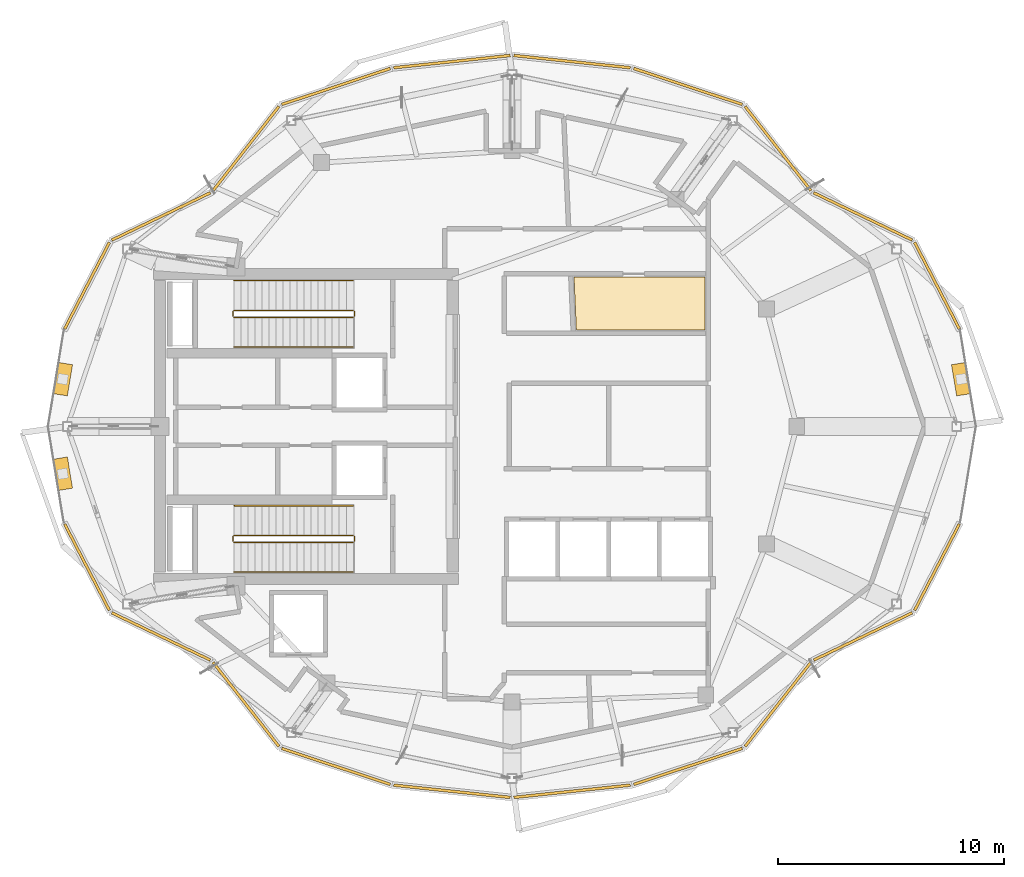
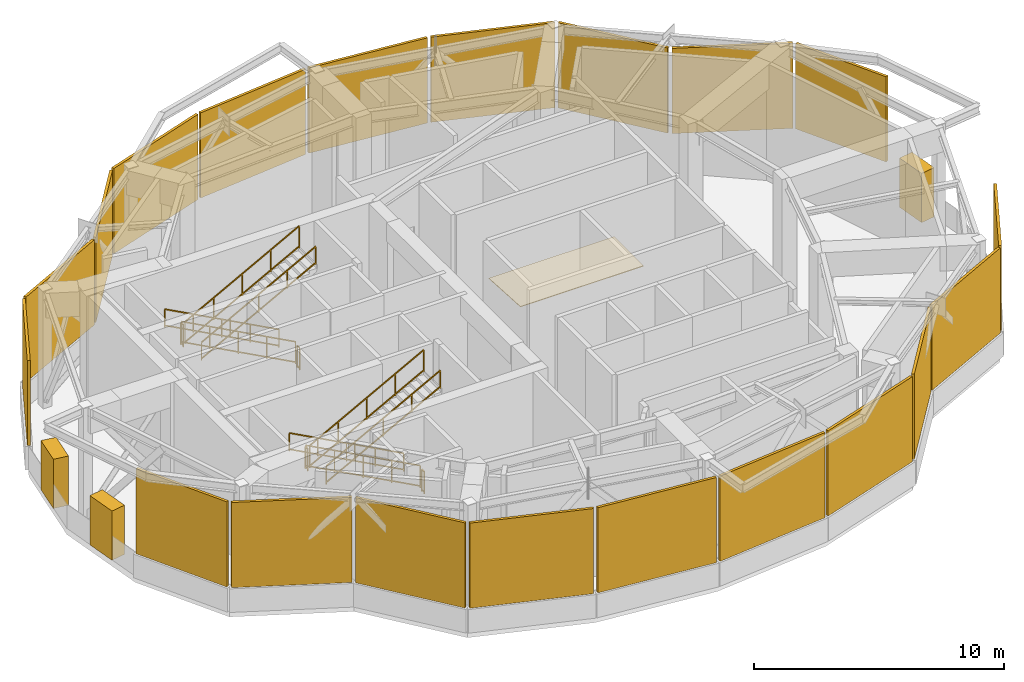
# One storey, part 9 of 9: 21 coverings, 12 railings, 3 shading devices.
"""IFC4 building model written with IfcOpenShell, lengths in metres."""

from ifc_helpers import new_model, si_unit, direction, frame, origin, origin_2d, place, context, subcontext, project, spatial, polyline, rectangle, outline, extrude, material, layer, layer_set, type_object, element, save


model = new_model("IFC4")

# Units and contexts
model_context = context("Model", 3, precision=1e-05, world=origin(), true_north=direction((0.0, 1.0)))
body_context = subcontext(model_context, "Body", "Model", "MODEL_VIEW")
ifc_project = project(units=[si_unit("LENGTHUNIT", "METRE"), si_unit("AREAUNIT", "SQUARE_METRE"), si_unit("VOLUMEUNIT", "CUBIC_METRE"), si_unit("PLANEANGLEUNIT", "RADIAN"), si_unit("MASSUNIT", "GRAM", prefix="KILO")], contexts=[model_context])

# Site, building, storey
site_placement = place(None, origin())
site = spatial("IfcSite", under=ifc_project, at=site_placement, CompositionType="ELEMENT")
building_placement = place(site_placement, origin())
building = spatial("IfcBuilding", under=site, at=building_placement, Name="Kolvaren Gate Tower and Convention Centre", CompositionType="ELEMENT")
storey_placement = place(building_placement, frame((0.0, 0.0, 275.60009765625)))
storey = spatial("IfcBuildingStorey", under=building, at=storey_placement, Name="L75", CompositionType="ELEMENT", Elevation=275.60009765625)

# Coverings
ifc_material_1 = material(Name="Honed Sabana Limestone Terrazzo Flooring 30 mm", Category="masonry")
ifc_layer_1 = layer(ifc_material_1, 0.030029296875)
ifc_layer_set_1 = layer_set([ifc_layer_1], Name="Honed Sabana Limestone Terrazzo Flooring 30 mm")
covering_type_1 = type_object("IfcCoveringType", Name="ARCH-COV-FLR-30", PredefinedType="FLOORING", material=ifc_layer_set_1)
covering_1_placement = place(storey_placement, origin())
element("IfcCovering", 1, at=covering_1_placement, inside=storey, type_object=covering_type_1, Name="Zone Electrical Substation and Switchgear Room Interior Finish Flooring", PredefinedType="FLOORING", context=body_context, shape_type="SweptSolid", body=[
    extrude(outline(polyline([(32.867919921875, 33.610107421875), (38.659912109375, 33.610107421875), (38.659912109375, 31.260009765625), (32.972900390625, 31.260009765625), (32.867919921875, 33.610107421875)])), origin(), (0.0, 0.0, 1.0), 0.02978515625),
])
ifc_material_2 = material(Name="Honed Warm Andean Limestone Rainscreen Cladding 120 mm", Category="masonry")
ifc_layer_2 = layer(ifc_material_2, 0.1201171875)
ifc_layer_set_2 = layer_set([ifc_layer_2], Name="Honed Warm Andean Limestone Rainscreen Cladding 120 mm")
covering_type_2 = type_object("IfcCoveringType", Name="ARCH-COV-LOUVRE", PredefinedType="CLADDING", material=ifc_layer_set_2)
covering_2_placement = place(storey_placement, frame((48.930908203125, 33.231689453125, 1.1396484375), z_axis=(0.0, 0.0, 1.0), x_axis=(0.459793759781, -0.888025730746, 0.0)))
element("IfcCovering", 2, at=covering_2_placement, inside=storey, type_object=covering_type_2, Name="Plant Floor L75 Honed Limestone Rainscreen Cladding LV-01", PredefinedType="CLADDING", context=body_context, shape_type="SweptSolid", body=[
    extrude(rectangle(XDim=4.30078125, YDim=0.1201171875, at=origin_2d()), origin(), (0.0, 0.0, 1.0), 4.155029296875),
])
covering_3_placement = place(storey_placement, frame((45.65478515625, 36.2939453125, 1.1396484375), z_axis=(0.0, 0.0, 1.0), x_axis=(0.901356122373, -0.433078677218, 0.0)))
element("IfcCovering", 3, at=covering_3_placement, inside=storey, type_object=covering_type_2, Name="Plant Floor L75 Honed Limestone Rainscreen Cladding LV-02", PredefinedType="CLADDING", context=body_context, shape_type="SweptSolid", body=[
    extrude(rectangle(XDim=4.834228515625, YDim=0.1201171875, at=origin_2d()), origin(), (0.0, 0.0, 1.0), 4.155029296875),
])
covering_4_placement = place(storey_placement, frame((41.897216796875, 39.2998046875, 1.1396484375), z_axis=(0.0, 0.0, 1.0), x_axis=(0.616429996253, -0.787409715281, 0.0)))
element("IfcCovering", 4, at=covering_4_placement, inside=storey, type_object=covering_type_2, Name="Plant Floor L75 Honed Limestone Rainscreen Cladding LV-03", PredefinedType="CLADDING", context=body_context, shape_type="SweptSolid", body=[
    extrude(rectangle(XDim=4.728271484375, YDim=0.1201171875, at=origin_2d()), origin(), (0.0, 0.0, 1.0), 4.155029296875),
])
covering_5_placement = place(storey_placement, frame((37.914794921875, 42.044921875, 1.1396484375), z_axis=(0.0, 0.0, 1.0), x_axis=(0.949243375549, -0.314542547163, 0.0)))
element("IfcCovering", 5, at=covering_5_placement, inside=storey, type_object=covering_type_2, Name="Plant Floor L75 Honed Limestone Rainscreen Cladding LV-04", PredefinedType="CLADDING", context=body_context, shape_type="SweptSolid", body=[
    extrude(rectangle(XDim=5.056396484375, YDim=0.1201171875, at=origin_2d()), origin(), (0.0, 0.0, 1.0), 4.155029296875),
])
for number, where, z_axis, x_axis, name in (
    (6, (32.781982421875, 43.145263671875, 1.1396484375), (0.0, 0.0, 1.0), (0.994498701491, -0.104748903254, 0.0), "Plant Floor L75 Honed Limestone Rainscreen Cladding LV-05"),
    (7, (27.468017578125, 43.145263671875, 1.1396484375), (0.0, 0.0, 1.0), (0.994498701491, 0.104748903254, 0.0), "Plant Floor L75 Honed Limestone Rainscreen Cladding LV-06"),
):
    element("IfcCovering", number, at=place(storey_placement, frame(where, z_axis=z_axis, x_axis=x_axis)), inside=storey, type_object=covering_type_2, Name=name, PredefinedType="CLADDING", context=body_context, shape_type="SweptSolid", body=[
        extrude(rectangle(XDim=5.183349609375, YDim=0.1201171875, at=origin_2d()), origin(), (0.0, 0.0, 1.0), 4.155029296875),
    ])
covering_6_placement = place(storey_placement, frame((22.335205078125, 42.044921875, 1.1396484375), z_axis=(0.0, 0.0, 1.0), x_axis=(0.949243375549, 0.314542547163, 0.0)))
element("IfcCovering", 8, at=covering_6_placement, inside=storey, type_object=covering_type_2, Name="Plant Floor L75 Honed Limestone Rainscreen Cladding LV-07", PredefinedType="CLADDING", context=body_context, shape_type="SweptSolid", body=[
    extrude(rectangle(XDim=5.056396484375, YDim=0.1201171875, at=origin_2d()), origin(), (0.0, 0.0, 1.0), 4.155029296875),
])
covering_7_placement = place(storey_placement, frame((18.352783203125, 39.2998046875, 1.1396484375), z_axis=(0.0, 0.0, 1.0), x_axis=(0.616429996253, 0.787409715281, 0.0)))
element("IfcCovering", 9, at=covering_7_placement, inside=storey, type_object=covering_type_2, Name="Plant Floor L75 Honed Limestone Rainscreen Cladding LV-08", PredefinedType="CLADDING", context=body_context, shape_type="SweptSolid", body=[
    extrude(rectangle(XDim=4.728271484375, YDim=0.1201171875, at=origin_2d()), origin(), (0.0, 0.0, 1.0), 4.155029296875),
])
covering_8_placement = place(storey_placement, frame((14.59521484375, 36.2939453125, 1.1396484375), z_axis=(0.0, 0.0, 1.0), x_axis=(0.901356122373, 0.433078677218, 0.0)))
element("IfcCovering", 10, at=covering_8_placement, inside=storey, type_object=covering_type_2, Name="Plant Floor L75 Honed Limestone Rainscreen Cladding LV-09", PredefinedType="CLADDING", context=body_context, shape_type="SweptSolid", body=[
    extrude(rectangle(XDim=4.834228515625, YDim=0.1201171875, at=origin_2d()), origin(), (0.0, 0.0, 1.0), 4.155029296875),
])
for number, where, z_axis, x_axis, name in (
    (11, (11.319091796875, 33.231689453125, 1.1396484375), (0.0, 0.0, 1.0), (0.459793759781, 0.888025730746, 0.0), "Plant Floor L75 Honed Limestone Rainscreen Cladding LV-10"),
    (12, (11.319091796875, 20.768310546875, 1.1396484375), (0.0, 0.0, 1.0), (0.459793759781, -0.888025730746, 0.0), "Plant Floor L75 Honed Limestone Rainscreen Cladding LV-13"),
):
    element("IfcCovering", number, at=place(storey_placement, frame(where, z_axis=z_axis, x_axis=x_axis)), inside=storey, type_object=covering_type_2, Name=name, PredefinedType="CLADDING", context=body_context, shape_type="SweptSolid", body=[
        extrude(rectangle(XDim=4.30078125, YDim=0.1201171875, at=origin_2d()), origin(), (0.0, 0.0, 1.0), 4.155029296875),
    ])
covering_9_placement = place(storey_placement, frame((14.59521484375, 17.7060546875, 1.1396484375), z_axis=(0.0, 0.0, 1.0), x_axis=(0.901356122373, -0.433078677218, 0.0)))
element("IfcCovering", 13, at=covering_9_placement, inside=storey, type_object=covering_type_2, Name="Plant Floor L75 Honed Limestone Rainscreen Cladding LV-14", PredefinedType="CLADDING", context=body_context, shape_type="SweptSolid", body=[
    extrude(rectangle(XDim=4.834228515625, YDim=0.1201171875, at=origin_2d()), origin(), (0.0, 0.0, 1.0), 4.155029296875),
])
covering_10_placement = place(storey_placement, frame((18.352783203125, 14.7001953125, 1.1396484375), z_axis=(0.0, 0.0, 1.0), x_axis=(0.616429996253, -0.787409715281, 0.0)))
element("IfcCovering", 14, at=covering_10_placement, inside=storey, type_object=covering_type_2, Name="Plant Floor L75 Honed Limestone Rainscreen Cladding LV-15", PredefinedType="CLADDING", context=body_context, shape_type="SweptSolid", body=[
    extrude(rectangle(XDim=4.728271484375, YDim=0.1201171875, at=origin_2d()), origin(), (0.0, 0.0, 1.0), 4.155029296875),
])
covering_11_placement = place(storey_placement, frame((22.335205078125, 11.955078125, 1.1396484375), z_axis=(0.0, 0.0, 1.0), x_axis=(0.949243375549, -0.314542547163, 0.0)))
element("IfcCovering", 15, at=covering_11_placement, inside=storey, type_object=covering_type_2, Name="Plant Floor L75 Honed Limestone Rainscreen Cladding LV-16", PredefinedType="CLADDING", context=body_context, shape_type="SweptSolid", body=[
    extrude(rectangle(XDim=5.056396484375, YDim=0.1201171875, at=origin_2d()), origin(), (0.0, 0.0, 1.0), 4.155029296875),
])
for number, where, z_axis, x_axis, name in (
    (16, (27.468017578125, 10.854736328125, 1.1396484375), (0.0, 0.0, 1.0), (0.994498701491, -0.104748903254, 0.0), "Plant Floor L75 Honed Limestone Rainscreen Cladding LV-17"),
    (17, (32.781982421875, 10.854736328125, 1.1396484375), (0.0, 0.0, 1.0), (0.994498701491, 0.104748903254, 0.0), "Plant Floor L75 Honed Limestone Rainscreen Cladding LV-18"),
):
    element("IfcCovering", number, at=place(storey_placement, frame(where, z_axis=z_axis, x_axis=x_axis)), inside=storey, type_object=covering_type_2, Name=name, PredefinedType="CLADDING", context=body_context, shape_type="SweptSolid", body=[
        extrude(rectangle(XDim=5.183349609375, YDim=0.1201171875, at=origin_2d()), origin(), (0.0, 0.0, 1.0), 4.155029296875),
    ])
covering_12_placement = place(storey_placement, frame((37.914794921875, 11.955078125, 1.1396484375), z_axis=(0.0, 0.0, 1.0), x_axis=(0.949243375549, 0.314542547163, 0.0)))
element("IfcCovering", 18, at=covering_12_placement, inside=storey, type_object=covering_type_2, Name="Plant Floor L75 Honed Limestone Rainscreen Cladding LV-19", PredefinedType="CLADDING", context=body_context, shape_type="SweptSolid", body=[
    extrude(rectangle(XDim=5.056396484375, YDim=0.1201171875, at=origin_2d()), origin(), (0.0, 0.0, 1.0), 4.155029296875),
])
covering_13_placement = place(storey_placement, frame((41.897216796875, 14.7001953125, 1.1396484375), z_axis=(0.0, 0.0, 1.0), x_axis=(0.616429996253, 0.787409715281, 0.0)))
element("IfcCovering", 19, at=covering_13_placement, inside=storey, type_object=covering_type_2, Name="Plant Floor L75 Honed Limestone Rainscreen Cladding LV-20", PredefinedType="CLADDING", context=body_context, shape_type="SweptSolid", body=[
    extrude(rectangle(XDim=4.728271484375, YDim=0.1201171875, at=origin_2d()), origin(), (0.0, 0.0, 1.0), 4.155029296875),
])
covering_14_placement = place(storey_placement, frame((45.65478515625, 17.7060546875, 1.1396484375), z_axis=(0.0, 0.0, 1.0), x_axis=(0.901356122373, 0.433078677218, 0.0)))
element("IfcCovering", 20, at=covering_14_placement, inside=storey, type_object=covering_type_2, Name="Plant Floor L75 Honed Limestone Rainscreen Cladding LV-21", PredefinedType="CLADDING", context=body_context, shape_type="SweptSolid", body=[
    extrude(rectangle(XDim=4.834228515625, YDim=0.1201171875, at=origin_2d()), origin(), (0.0, 0.0, 1.0), 4.155029296875),
])
covering_15_placement = place(storey_placement, frame((48.930908203125, 20.768310546875, 1.1396484375), z_axis=(0.0, 0.0, 1.0), x_axis=(0.459793759781, 0.888025730746, 0.0)))
element("IfcCovering", 21, at=covering_15_placement, inside=storey, type_object=covering_type_2, Name="Plant Floor L75 Honed Limestone Rainscreen Cladding LV-22", PredefinedType="CLADDING", context=body_context, shape_type="SweptSolid", body=[
    extrude(rectangle(XDim=4.30078125, YDim=0.1201171875, at=origin_2d()), origin(), (0.0, 0.0, 1.0), 4.155029296875),
])

# Railings
ifc_material_3 = material(Name="Brushed Stainless Steel Grade 316L", Category="steel")
railing_type_1 = type_object("IfcRailingType", Name="ARCH-RL-GUARD-1150", PredefinedType="GUARDRAIL", material=ifc_material_3)
railing_1_placement = place(storey_placement, frame((23.10009765625, 32.1298828125, 0.16650390625)))
element("IfcRailing", 22, at=railing_1_placement, inside=storey, type_object=railing_type_1, Name="L75 ST-T1 stair guard 1", PredefinedType="GUARDRAIL", context=body_context, shape_type="SweptSolid", body=[
    extrude(rectangle(XDim=0.048095703125, YDim=0.048095703125, at=origin_2d()), frame((0.0, 0.0, 1.076171875), z_axis=(-0.880764410308, 0.0, 0.473554699622), x_axis=(0.0, -1.0, 0.0)), (0.0, 0.0, 1.0), 5.9833984375),
    extrude(rectangle(XDim=0.048095703125, YDim=0.048095703125, at=origin_2d()), frame((0.0, 0.0, 0.083984375), z_axis=(-0.880764410308, 0.0, 0.473554699622), x_axis=(0.0, -1.0, 0.0)), (0.0, 0.0, 1.0), 5.9833984375),
    extrude(rectangle(XDim=0.0419921875, YDim=0.0419921875, at=origin_2d()), origin(), (0.0, 0.0, 1.0), 1.050048828125),
    extrude(rectangle(XDim=0.0419921875, YDim=0.0419921875, at=origin_2d()), frame((-5.27001953125, 0.0, 2.83349609375)), (0.0, 0.0, 1.0), 1.050048828125),
    extrude(rectangle(XDim=0.0419921875, YDim=0.0419921875, at=origin_2d()), frame((-1.3173828125, 0.0, 0.70849609375)), (0.0, 0.0, 1.0), 1.050048828125),
    extrude(rectangle(XDim=0.0419921875, YDim=0.0419921875, at=origin_2d()), frame((-2.635009765625, 0.0, 1.416748046875)), (0.0, 0.0, 1.0), 1.050048828125),
    extrude(rectangle(XDim=0.0419921875, YDim=0.0419921875, at=origin_2d()), frame((-3.95263671875, 0.0, 2.125)), (0.0, 0.0, 1.0), 1.050048828125),
])
railing_2_placement = place(storey_placement, frame((17.780029296875, 32.080078125, 3.0)))
element("IfcRailing", 23, at=railing_2_placement, inside=storey, type_object=railing_type_1, Name="L75 ST-T1 stair guard 2", PredefinedType="GUARDRAIL", context=body_context, shape_type="SweptSolid", body=[
    extrude(rectangle(XDim=0.048095703125, YDim=0.048095703125, at=origin_2d()), frame((0.0, 0.0, 1.076171875), z_axis=(0.0, -1.0, 0.0), x_axis=(1.0, 0.0, 0.0)), (0.0, 0.0, 1.0), 0.2001953125),
    extrude(rectangle(XDim=0.048095703125, YDim=0.048095703125, at=origin_2d()), frame((0.0, 0.0, 0.083984375), z_axis=(0.0, -1.0, 0.0), x_axis=(1.0, 0.0, 0.0)), (0.0, 0.0, 1.0), 0.2001953125),
    extrude(rectangle(XDim=0.0419921875, YDim=0.0419921875, at=origin_2d()), origin(), (0.0, 0.0, 1.0), 1.050048828125),
    extrude(rectangle(XDim=0.0419921875, YDim=0.0419921875, at=origin_2d()), frame((0.0, -0.2001953125, 0.0)), (0.0, 0.0, 1.0), 1.050048828125),
])
railing_3_placement = place(storey_placement, frame((17.830078125, 31.830078125, 3.16650390625)))
element("IfcRailing", 24, at=railing_3_placement, inside=storey, type_object=railing_type_1, Name="L75 ST-T1 stair guard 3", PredefinedType="GUARDRAIL", context=body_context, shape_type="SweptSolid", body=[
    extrude(rectangle(XDim=0.048095703125, YDim=0.048095703125, at=origin_2d()), frame((0.0, 0.0, 1.076171875), z_axis=(0.880764410308, 0.0, 0.473554699622), x_axis=(0.0, 1.0, 0.0)), (0.0, 0.0, 1.0), 5.9833984375),
    extrude(rectangle(XDim=0.048095703125, YDim=0.048095703125, at=origin_2d()), frame((0.0, 0.0, 0.083984375), z_axis=(0.880764410308, 0.0, 0.473554699622), x_axis=(0.0, 1.0, 0.0)), (0.0, 0.0, 1.0), 5.9833984375),
    extrude(rectangle(XDim=0.0419921875, YDim=0.0419921875, at=origin_2d()), origin(), (0.0, 0.0, 1.0), 1.050048828125),
    extrude(rectangle(XDim=0.0419921875, YDim=0.0419921875, at=origin_2d()), frame((5.27001953125, 0.0, 2.83349609375)), (0.0, 0.0, 1.0), 1.050048828125),
    extrude(rectangle(XDim=0.0419921875, YDim=0.0419921875, at=origin_2d()), frame((1.3173828125, 0.0, 0.70849609375)), (0.0, 0.0, 1.0), 1.050048828125),
    extrude(rectangle(XDim=0.0419921875, YDim=0.0419921875, at=origin_2d()), frame((2.635009765625, 0.0, 1.416748046875)), (0.0, 0.0, 1.0), 1.050048828125),
    extrude(rectangle(XDim=0.0419921875, YDim=0.0419921875, at=origin_2d()), frame((3.95263671875, 0.0, 2.125)), (0.0, 0.0, 1.0), 1.050048828125),
])
railing_4_placement = place(storey_placement, frame((23.14990234375, 32.080078125, 0.0)))
element("IfcRailing", 25, at=railing_4_placement, inside=storey, type_object=railing_type_1, Name="L75 ST-T1 stair guard 4", PredefinedType="GUARDRAIL", context=body_context, shape_type="SweptSolid", body=[
    extrude(rectangle(XDim=0.048095703125, YDim=0.048095703125, at=origin_2d()), frame((0.0, 0.0, 1.076171875), z_axis=(0.0, -1.0, 0.0), x_axis=(1.0, 0.0, 0.0)), (0.0, 0.0, 1.0), 0.2001953125),
    extrude(rectangle(XDim=0.048095703125, YDim=0.048095703125, at=origin_2d()), frame((0.0, 0.0, 0.083984375), z_axis=(0.0, -1.0, 0.0), x_axis=(1.0, 0.0, 0.0)), (0.0, 0.0, 1.0), 0.2001953125),
    extrude(rectangle(XDim=0.0419921875, YDim=0.0419921875, at=origin_2d()), origin(), (0.0, 0.0, 1.0), 1.050048828125),
    extrude(rectangle(XDim=0.0419921875, YDim=0.0419921875, at=origin_2d()), frame((0.0, -0.2001953125, 0.0)), (0.0, 0.0, 1.0), 1.050048828125),
])
railing_5_placement = place(storey_placement, frame((23.10009765625, 22.169921875, 0.16650390625)))
element("IfcRailing", 26, at=railing_5_placement, inside=storey, type_object=railing_type_1, Name="L75 ST-T2 stair guard 1", PredefinedType="GUARDRAIL", context=body_context, shape_type="SweptSolid", body=[
    extrude(rectangle(XDim=0.048095703125, YDim=0.048095703125, at=origin_2d()), frame((0.0, 0.0, 1.076171875), z_axis=(-0.880764410308, 0.0, 0.473554699622), x_axis=(0.0, -1.0, 0.0)), (0.0, 0.0, 1.0), 5.9833984375),
    extrude(rectangle(XDim=0.048095703125, YDim=0.048095703125, at=origin_2d()), frame((0.0, 0.0, 0.083984375), z_axis=(-0.880764410308, 0.0, 0.473554699622), x_axis=(0.0, -1.0, 0.0)), (0.0, 0.0, 1.0), 5.9833984375),
    extrude(rectangle(XDim=0.0419921875, YDim=0.0419921875, at=origin_2d()), origin(), (0.0, 0.0, 1.0), 1.050048828125),
    extrude(rectangle(XDim=0.0419921875, YDim=0.0419921875, at=origin_2d()), frame((-5.27001953125, 0.0, 2.83349609375)), (0.0, 0.0, 1.0), 1.050048828125),
    extrude(rectangle(XDim=0.0419921875, YDim=0.0419921875, at=origin_2d()), frame((-1.3173828125, 0.0, 0.70849609375)), (0.0, 0.0, 1.0), 1.050048828125),
    extrude(rectangle(XDim=0.0419921875, YDim=0.0419921875, at=origin_2d()), frame((-2.635009765625, 0.0, 1.416748046875)), (0.0, 0.0, 1.0), 1.050048828125),
    extrude(rectangle(XDim=0.0419921875, YDim=0.0419921875, at=origin_2d()), frame((-3.95263671875, 0.0, 2.125)), (0.0, 0.0, 1.0), 1.050048828125),
])
railing_6_placement = place(storey_placement, frame((17.780029296875, 22.1201171875, 3.0)))
element("IfcRailing", 27, at=railing_6_placement, inside=storey, type_object=railing_type_1, Name="L75 ST-T2 stair guard 2", PredefinedType="GUARDRAIL", context=body_context, shape_type="SweptSolid", body=[
    extrude(rectangle(XDim=0.048095703125, YDim=0.048095703125, at=origin_2d()), frame((0.0, 0.0, 1.076171875), z_axis=(0.0, -1.0, 0.0), x_axis=(1.0, 0.0, 0.0)), (0.0, 0.0, 1.0), 0.2001953125),
    extrude(rectangle(XDim=0.048095703125, YDim=0.048095703125, at=origin_2d()), frame((0.0, 0.0, 0.083984375), z_axis=(0.0, -1.0, 0.0), x_axis=(1.0, 0.0, 0.0)), (0.0, 0.0, 1.0), 0.2001953125),
    extrude(rectangle(XDim=0.0419921875, YDim=0.0419921875, at=origin_2d()), origin(), (0.0, 0.0, 1.0), 1.050048828125),
    extrude(rectangle(XDim=0.0419921875, YDim=0.0419921875, at=origin_2d()), frame((0.0, -0.2001953125, 0.0)), (0.0, 0.0, 1.0), 1.050048828125),
])
railing_7_placement = place(storey_placement, frame((17.830078125, 21.8701171875, 3.16650390625)))
element("IfcRailing", 28, at=railing_7_placement, inside=storey, type_object=railing_type_1, Name="L75 ST-T2 stair guard 3", PredefinedType="GUARDRAIL", context=body_context, shape_type="SweptSolid", body=[
    extrude(rectangle(XDim=0.048095703125, YDim=0.048095703125, at=origin_2d()), frame((0.0, 0.0, 1.076171875), z_axis=(0.880764410308, 0.0, 0.473554699622), x_axis=(0.0, 1.0, 0.0)), (0.0, 0.0, 1.0), 5.9833984375),
    extrude(rectangle(XDim=0.048095703125, YDim=0.048095703125, at=origin_2d()), frame((0.0, 0.0, 0.083984375), z_axis=(0.880764410308, 0.0, 0.473554699622), x_axis=(0.0, 1.0, 0.0)), (0.0, 0.0, 1.0), 5.9833984375),
    extrude(rectangle(XDim=0.0419921875, YDim=0.0419921875, at=origin_2d()), origin(), (0.0, 0.0, 1.0), 1.050048828125),
    extrude(rectangle(XDim=0.0419921875, YDim=0.0419921875, at=origin_2d()), frame((5.27001953125, 0.0, 2.83349609375)), (0.0, 0.0, 1.0), 1.050048828125),
    extrude(rectangle(XDim=0.0419921875, YDim=0.0419921875, at=origin_2d()), frame((1.3173828125, 0.0, 0.70849609375)), (0.0, 0.0, 1.0), 1.050048828125),
    extrude(rectangle(XDim=0.0419921875, YDim=0.0419921875, at=origin_2d()), frame((2.635009765625, 0.0, 1.416748046875)), (0.0, 0.0, 1.0), 1.050048828125),
    extrude(rectangle(XDim=0.0419921875, YDim=0.0419921875, at=origin_2d()), frame((3.95263671875, 0.0, 2.125)), (0.0, 0.0, 1.0), 1.050048828125),
])
railing_8_placement = place(storey_placement, frame((23.14990234375, 22.1201171875, 0.0)))
element("IfcRailing", 29, at=railing_8_placement, inside=storey, type_object=railing_type_1, Name="L75 ST-T2 stair guard 4", PredefinedType="GUARDRAIL", context=body_context, shape_type="SweptSolid", body=[
    extrude(rectangle(XDim=0.048095703125, YDim=0.048095703125, at=origin_2d()), frame((0.0, 0.0, 1.076171875), z_axis=(0.0, -1.0, 0.0), x_axis=(1.0, 0.0, 0.0)), (0.0, 0.0, 1.0), 0.2001953125),
    extrude(rectangle(XDim=0.048095703125, YDim=0.048095703125, at=origin_2d()), frame((0.0, 0.0, 0.083984375), z_axis=(0.0, -1.0, 0.0), x_axis=(1.0, 0.0, 0.0)), (0.0, 0.0, 1.0), 0.2001953125),
    extrude(rectangle(XDim=0.0419921875, YDim=0.0419921875, at=origin_2d()), origin(), (0.0, 0.0, 1.0), 1.050048828125),
    extrude(rectangle(XDim=0.0419921875, YDim=0.0419921875, at=origin_2d()), frame((0.0, -0.2001953125, 0.0)), (0.0, 0.0, 1.0), 1.050048828125),
])
railing_type_2 = type_object("IfcRailingType", Name="ARCH-RL-HANDRAIL-920", PredefinedType="HANDRAIL", material=ifc_material_3)
railing_9_placement = place(storey_placement, frame((23.10009765625, 33.449951171875, 0.16650390625)))
element("IfcRailing", 30, at=railing_9_placement, inside=storey, type_object=railing_type_2, Name="L75 ST-T1 stair handrail 1", PredefinedType="HANDRAIL", context=body_context, shape_type="SweptSolid", body=[
    extrude(rectangle(XDim=0.048095703125, YDim=0.048095703125, at=origin_2d()), frame((0.0, 0.0, 0.8759765625), z_axis=(-0.880764410308, 0.0, 0.473554699622), x_axis=(0.0, -1.0, 0.0)), (0.0, 0.0, 1.0), 5.9833984375),
    extrude(rectangle(XDim=0.048095703125, YDim=0.048095703125, at=origin_2d()), frame((0.0, 0.0, 0.083984375), z_axis=(-0.880764410308, 0.0, 0.473554699622), x_axis=(0.0, -1.0, 0.0)), (0.0, 0.0, 1.0), 5.9833984375),
    extrude(rectangle(XDim=0.0419921875, YDim=0.0419921875, at=origin_2d()), origin(), (0.0, 0.0, 1.0), 0.849853515625),
    extrude(rectangle(XDim=0.0419921875, YDim=0.0419921875, at=origin_2d()), frame((-5.27001953125, 0.0, 2.83349609375)), (0.0, 0.0, 1.0), 0.849853515625),
    extrude(rectangle(XDim=0.0419921875, YDim=0.0419921875, at=origin_2d()), frame((-1.3173828125, 0.0, 0.70849609375)), (0.0, 0.0, 1.0), 0.849853515625),
    extrude(rectangle(XDim=0.0419921875, YDim=0.0419921875, at=origin_2d()), frame((-2.635009765625, 0.0, 1.416748046875)), (0.0, 0.0, 1.0), 0.849853515625),
    extrude(rectangle(XDim=0.0419921875, YDim=0.0419921875, at=origin_2d()), frame((-3.95263671875, 0.0, 2.125)), (0.0, 0.0, 1.0), 0.849853515625),
])
railing_10_placement = place(storey_placement, frame((17.830078125, 30.510009765625, 3.16650390625)))
element("IfcRailing", 31, at=railing_10_placement, inside=storey, type_object=railing_type_2, Name="L75 ST-T1 stair handrail 2", PredefinedType="HANDRAIL", context=body_context, shape_type="SweptSolid", body=[
    extrude(rectangle(XDim=0.048095703125, YDim=0.048095703125, at=origin_2d()), frame((0.0, 0.0, 0.8759765625), z_axis=(0.880764410308, 0.0, 0.473554699622), x_axis=(0.0, 1.0, 0.0)), (0.0, 0.0, 1.0), 5.9833984375),
    extrude(rectangle(XDim=0.048095703125, YDim=0.048095703125, at=origin_2d()), frame((0.0, 0.0, 0.083984375), z_axis=(0.880764410308, 0.0, 0.473554699622), x_axis=(0.0, 1.0, 0.0)), (0.0, 0.0, 1.0), 5.9833984375),
    extrude(rectangle(XDim=0.0419921875, YDim=0.0419921875, at=origin_2d()), origin(), (0.0, 0.0, 1.0), 0.849853515625),
    extrude(rectangle(XDim=0.0419921875, YDim=0.0419921875, at=origin_2d()), frame((5.27001953125, 0.0, 2.83349609375)), (0.0, 0.0, 1.0), 0.849853515625),
    extrude(rectangle(XDim=0.0419921875, YDim=0.0419921875, at=origin_2d()), frame((1.3173828125, 0.0, 0.70849609375)), (0.0, 0.0, 1.0), 0.849853515625),
    extrude(rectangle(XDim=0.0419921875, YDim=0.0419921875, at=origin_2d()), frame((2.635009765625, 0.0, 1.416748046875)), (0.0, 0.0, 1.0), 0.849853515625),
    extrude(rectangle(XDim=0.0419921875, YDim=0.0419921875, at=origin_2d()), frame((3.95263671875, 0.0, 2.125)), (0.0, 0.0, 1.0), 0.849853515625),
])
railing_11_placement = place(storey_placement, frame((23.10009765625, 23.489990234375, 0.16650390625)))
element("IfcRailing", 32, at=railing_11_placement, inside=storey, type_object=railing_type_2, Name="L75 ST-T2 stair handrail 1", PredefinedType="HANDRAIL", context=body_context, shape_type="SweptSolid", body=[
    extrude(rectangle(XDim=0.048095703125, YDim=0.048095703125, at=origin_2d()), frame((0.0, 0.0, 0.8759765625), z_axis=(-0.880764410308, 0.0, 0.473554699622), x_axis=(0.0, -1.0, 0.0)), (0.0, 0.0, 1.0), 5.9833984375),
    extrude(rectangle(XDim=0.048095703125, YDim=0.048095703125, at=origin_2d()), frame((0.0, 0.0, 0.083984375), z_axis=(-0.880764410308, 0.0, 0.473554699622), x_axis=(0.0, -1.0, 0.0)), (0.0, 0.0, 1.0), 5.9833984375),
    extrude(rectangle(XDim=0.0419921875, YDim=0.0419921875, at=origin_2d()), origin(), (0.0, 0.0, 1.0), 0.849853515625),
    extrude(rectangle(XDim=0.0419921875, YDim=0.0419921875, at=origin_2d()), frame((-5.27001953125, 0.0, 2.83349609375)), (0.0, 0.0, 1.0), 0.849853515625),
    extrude(rectangle(XDim=0.0419921875, YDim=0.0419921875, at=origin_2d()), frame((-1.3173828125, 0.0, 0.70849609375)), (0.0, 0.0, 1.0), 0.849853515625),
    extrude(rectangle(XDim=0.0419921875, YDim=0.0419921875, at=origin_2d()), frame((-2.635009765625, 0.0, 1.416748046875)), (0.0, 0.0, 1.0), 0.849853515625),
    extrude(rectangle(XDim=0.0419921875, YDim=0.0419921875, at=origin_2d()), frame((-3.95263671875, 0.0, 2.125)), (0.0, 0.0, 1.0), 0.849853515625),
])
railing_12_placement = place(storey_placement, frame((17.830078125, 20.550048828125, 3.16650390625)))
element("IfcRailing", 33, at=railing_12_placement, inside=storey, type_object=railing_type_2, Name="L75 ST-T2 stair handrail 2", PredefinedType="HANDRAIL", context=body_context, shape_type="SweptSolid", body=[
    extrude(rectangle(XDim=0.048095703125, YDim=0.048095703125, at=origin_2d()), frame((0.0, 0.0, 0.8759765625), z_axis=(0.880764410308, 0.0, 0.473554699622), x_axis=(0.0, 1.0, 0.0)), (0.0, 0.0, 1.0), 5.9833984375),
    extrude(rectangle(XDim=0.048095703125, YDim=0.048095703125, at=origin_2d()), frame((0.0, 0.0, 0.083984375), z_axis=(0.880764410308, 0.0, 0.473554699622), x_axis=(0.0, 1.0, 0.0)), (0.0, 0.0, 1.0), 5.9833984375),
    extrude(rectangle(XDim=0.0419921875, YDim=0.0419921875, at=origin_2d()), origin(), (0.0, 0.0, 1.0), 0.849853515625),
    extrude(rectangle(XDim=0.0419921875, YDim=0.0419921875, at=origin_2d()), frame((5.27001953125, 0.0, 2.83349609375)), (0.0, 0.0, 1.0), 0.849853515625),
    extrude(rectangle(XDim=0.0419921875, YDim=0.0419921875, at=origin_2d()), frame((1.3173828125, 0.0, 0.70849609375)), (0.0, 0.0, 1.0), 0.849853515625),
    extrude(rectangle(XDim=0.0419921875, YDim=0.0419921875, at=origin_2d()), frame((2.635009765625, 0.0, 1.416748046875)), (0.0, 0.0, 1.0), 0.849853515625),
    extrude(rectangle(XDim=0.0419921875, YDim=0.0419921875, at=origin_2d()), frame((3.95263671875, 0.0, 2.125)), (0.0, 0.0, 1.0), 0.849853515625),
])

# Shading devices
ifc_material_4 = material(Name="Perforated Anodized Bronze Aluminium Sheet 6 mm", Category="aluminium")
shading_device_type = type_object("IfcShadingDeviceType", Name="ARCH-SHD-TURB-1400", PredefinedType="USERDEFINED", material=ifc_material_4)
for number, where, z_axis, x_axis, name in (
    (34, (50.008056640625, 29.09423828125, -0.010009765625), (0.0, 0.0, 1.0), (0.162385734509, -0.986727355062, 0.0), "Ducted Slot Wind-Turbine Rotor and Stator Assembly WT-01"),
    (35, (10.241943359375, 29.09423828125, -0.010009765625), (0.0, 0.0, 1.0), (0.162385734509, 0.986727355062, 0.0), "Ducted Slot Wind-Turbine Rotor and Stator Assembly WT-02"),
    (36, (10.241943359375, 24.90576171875, -0.010009765625), (0.0, 0.0, 1.0), (0.162385734509, -0.986727355062, 0.0), "Ducted Slot Wind-Turbine Rotor and Stator Assembly WT-03"),
):
    element("IfcShadingDevice", number, at=place(storey_placement, frame(where, z_axis=z_axis, x_axis=x_axis)), inside=storey, type_object=shading_device_type, Name=name, ObjectType="LOUVRE", PredefinedType="USERDEFINED", context=body_context, shape_type="SweptSolid", body=[
        extrude(rectangle(XDim=1.39990234375, YDim=0.64990234375, at=origin_2d()), origin(), (0.0, 0.0, 1.0), 2.39990234375),
    ])

save(model, "model.ifc")
